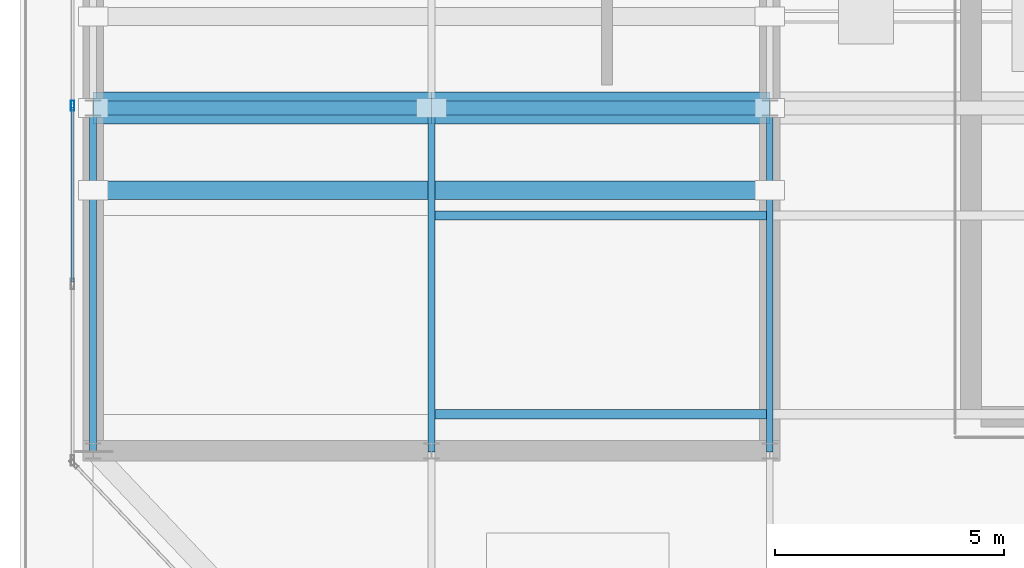
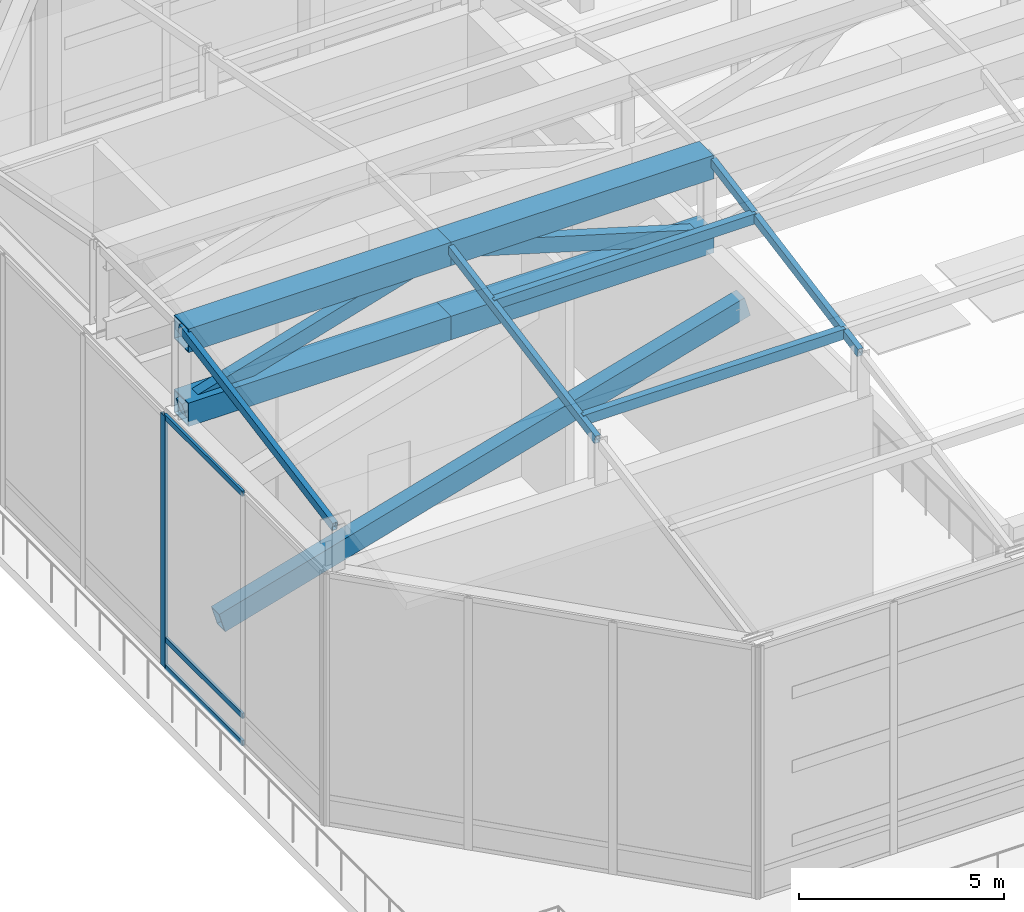
# One storey, part 5 of 25: 16 members, 1 element without a shape of its own.
"""IFC4 building model written with IfcOpenShell, lengths in metres."""

from ifc_helpers import new_model, si_unit, direction, frame, origin, origin_2d, place, context, subcontext, project, spatial, hollow_rectangle, extrude, source, transform, mapped, material, layer, layer_set, material_profile, profile_set, type_object, type_shapes, element, aggregate, save


model = new_model("IFC4")

# Units and contexts
model_context = context("Model", 3, precision=1e-05, world=origin(), true_north=direction((0.0, 1.0)))
body_context = subcontext(model_context, "Body", "Model", "MODEL_VIEW")
ifc_project = project(units=[si_unit("LENGTHUNIT", "METRE"), si_unit("AREAUNIT", "SQUARE_METRE"), si_unit("VOLUMEUNIT", "CUBIC_METRE"), si_unit("PLANEANGLEUNIT", "RADIAN"), si_unit("MASSUNIT", "GRAM", prefix="KILO")], contexts=[model_context])

# Site, building, storey
site_placement = place(None, origin())
site = spatial("IfcSite", under=ifc_project, at=site_placement, CompositionType="ELEMENT")
building_placement = place(site_placement, origin())
building = spatial("IfcBuilding", under=site, at=building_placement, Name="Haelvirn Gate Laboratories", CompositionType="ELEMENT")
storey_placement = place(building_placement, frame((0.0, 0.0, 337.800048828125)))
storey = spatial("IfcBuildingStorey", under=building, at=storey_placement, Name="RF", CompositionType="ELEMENT", Elevation=337.800048828125)

# Members
ifc_material_1 = material(Name="Steel SM420", Category="steel")
ifc_material_profile_1 = material_profile(ifc_material_1, hollow_rectangle(XDim=0.39990234375, YDim=0.60009765625, WallThickness=0.02490234375, at=origin_2d()), Name="BOX-600x400x25")
ifc_profile_set_1 = profile_set([ifc_material_profile_1], Name="Steel SM420")
member_type_1 = type_object("IfcMemberType", Name="MEM-CROWN-POST", PredefinedType="USERDEFINED", material=ifc_profile_set_1)
shared_shape_1 = source(origin(), body_context, "Body", "SweptSolid", [
    extrude(hollow_rectangle(XDim=0.39990234375, YDim=0.60009765625, WallThickness=0.02490234375, at=origin_2d()), origin(), (0.0, 0.0, 1.0), 15.398193359375),
])
type_shapes(member_type_1, [shared_shape_1])
member_1_placement = place(storey_placement, frame((7.39990234375, 20.5, 2.349853515625), z_axis=(0.961155726876, 0.0, 0.276006646104), x_axis=(0.0, 1.0, 0.0)))
element("IfcMember", 1, at=member_1_placement, inside=storey, type_object=member_type_1, Name="RF West Core Crown Bracing Strut 1", ObjectType="CROWN FRAME", PredefinedType="USERDEFINED", context=body_context, shape_type="MappedRepresentation", body=[
    mapped(shared_shape_1, transform((0.0, 0.0, 0.0), scale=1.0)),
])
ifc_material_profile_2 = material_profile(ifc_material_1, hollow_rectangle(XDim=0.699951171875, YDim=0.699951171875, WallThickness=0.031982421875, at=origin_2d()), Name="BOX-700x700x32")
ifc_profile_set_2 = profile_set([ifc_material_profile_2], Name="Steel SM420")
member_type_2 = type_object("IfcMemberType", Name="MEM-ARCH-RIB", PredefinedType="CHORD", material=ifc_profile_set_2)
shared_shape_2 = source(origin(), body_context, "Body", "SweptSolid", [
    extrude(hollow_rectangle(XDim=0.699951171875, YDim=0.699951171875, WallThickness=0.031982421875, at=origin_2d()), origin(), (0.0, 0.0, 1.0), 7.400146484375),
])
for number, where, z_axis, x_axis, name in (
    (2, (7.39990234375, 22.300048828125, 9.75537109375), (1.0, 0.0, 0.0), (0.0, 1.0, 0.0), "RF Vault Ridge Top Chord S-1"),
    (3, (7.39990234375, 22.300048828125, 7.550048828125), (1.0, 0.0, 0.0), (0.0, 1.0, 0.0), "RF Vault Ridge Bottom Chord S-1"),
):
    element("IfcMember", number, at=place(storey_placement, frame(where, z_axis=z_axis, x_axis=x_axis)), inside=storey, type_object=member_type_2, Name=name, PredefinedType="CHORD", context=body_context, shape_type="MappedRepresentation", body=[
        mapped(shared_shape_2, transform((0.0, 0.0, 0.0), scale=1.0)),
    ])
ifc_material_profile_3 = material_profile(ifc_material_1, hollow_rectangle(XDim=0.300048828125, YDim=0.449951171875, WallThickness=0.02001953125, at=origin_2d()), Name="BOX-450x300x20")
ifc_profile_set_3 = profile_set([ifc_material_profile_3], Name="Steel SM420")
member_type_3 = type_object("IfcMemberType", Name="MEM-CROWN-BR", PredefinedType="USERDEFINED", material=ifc_profile_set_3)
shared_shape_3 = source(origin(), body_context, "Body", "SweptSolid", [
    extrude(hollow_rectangle(XDim=0.300048828125, YDim=0.449951171875, WallThickness=0.02001953125, at=origin_2d()), origin(), (0.0, 0.0, 1.0), 7.7216796875),
])
member_2_placement = place(storey_placement, frame((7.39990234375, 22.300048828125, 7.550048828125), z_axis=(0.958349417944, 0.0, 0.285598307291), x_axis=(0.0, 1.0, 0.0)))
element("IfcMember", 4, at=member_2_placement, inside=storey, type_object=member_type_3, Name="RF Vault Ridge Truss Web S-1", ObjectType="CROWN FRAME", PredefinedType="USERDEFINED", context=body_context, shape_type="MappedRepresentation", body=[
    mapped(shared_shape_3, transform((0.0, 0.0, 0.0), scale=1.0)),
])
shared_shape_4 = source(origin(), body_context, "Body", "SweptSolid", [
    extrude(hollow_rectangle(XDim=0.699951171875, YDim=0.699951171875, WallThickness=0.031982421875, at=origin_2d()), origin(), (0.0, 0.0, 1.0), 7.39990234375),
])
type_shapes(member_type_2, [shared_shape_2, shared_shape_4])
for number, where, z_axis, x_axis, name in (
    (5, (14.800048828125, 22.300048828125, 9.75537109375), (1.0, 0.0, 0.0), (0.0, 1.0, 0.0), "RF Vault Ridge Top Chord S-2"),
    (6, (14.800048828125, 22.300048828125, 7.550048828125), (1.0, 0.0, 0.0), (0.0, 1.0, 0.0), "RF Vault Ridge Bottom Chord S-2"),
):
    element("IfcMember", number, at=place(storey_placement, frame(where, z_axis=z_axis, x_axis=x_axis)), inside=storey, type_object=member_type_2, Name=name, PredefinedType="CHORD", context=body_context, shape_type="MappedRepresentation", body=[
        mapped(shared_shape_4, transform((0.0, 0.0, 0.0), scale=1.0)),
    ])
shared_shape_5 = source(origin(), body_context, "Body", "SweptSolid", [
    extrude(hollow_rectangle(XDim=0.300048828125, YDim=0.449951171875, WallThickness=0.02001953125, at=origin_2d()), origin(), (0.0, 0.0, 1.0), 7.721435546875),
])
type_shapes(member_type_3, [shared_shape_3, shared_shape_5])
member_3_placement = place(storey_placement, frame((14.800048828125, 22.300048828125, 9.75537109375), z_axis=(0.958346838924, 0.0, -0.285606961267), x_axis=(0.0, 1.0, 0.0)))
element("IfcMember", 7, at=member_3_placement, inside=storey, type_object=member_type_3, Name="RF Vault Ridge Truss Web S-2", ObjectType="CROWN FRAME", PredefinedType="USERDEFINED", context=body_context, shape_type="MappedRepresentation", body=[
    mapped(shared_shape_5, transform((0.0, 0.0, 0.0), scale=1.0)),
])
ifc_material_2 = material(Name="Steel SM355", Category="steel")
ifc_material_profile_4 = material_profile(ifc_material_2, hollow_rectangle(XDim=0.14990234375, YDim=0.25, WallThickness=0.010009765625, at=origin_2d()), Name="RHS-250x150x10")
ifc_profile_set_4 = profile_set([ifc_material_profile_4], Name="Steel SM355")
member_type_4 = type_object("IfcMemberType", Name="MEM-CROWN-RAF", PredefinedType="RAFTER", material=ifc_profile_set_4)
shared_shape_6 = source(origin(), body_context, "Body", "SweptSolid", [
    extrude(hollow_rectangle(XDim=0.14990234375, YDim=0.25, WallThickness=0.010009765625, at=origin_2d()), origin(), (0.0, 0.0, 1.0), 7.626708984375),
])
type_shapes(member_type_4, [shared_shape_6])
for number, where, z_axis, x_axis, name in (
    (8, (7.39990234375, 14.800048828125, 8.571044921875), (0.0, 0.983390092547, 0.181504616691), (-1.0, 0.0, 0.0), "RF Vault End Rafter X7.4-1"),
    (9, (14.800048828125, 14.800048828125, 8.571044921875), (0.0, 0.983390092547, 0.181504616691), (-1.0, 0.0, 0.0), "RF Vault Rafter Chord X14.8-2"),
    (10, (22.199951171875, 14.800048828125, 8.571044921875), (0.0, 0.983390092547, 0.181504616691), (-1.0, 0.0, 0.0), "RF Vault Rafter Chord X22.2-2"),
):
    element("IfcMember", number, at=place(storey_placement, frame(where, z_axis=z_axis, x_axis=x_axis)), inside=storey, type_object=member_type_4, Name=name, PredefinedType="RAFTER", context=body_context, shape_type="MappedRepresentation", body=[
        mapped(shared_shape_6, transform((0.0, 0.0, 0.0), scale=1.0)),
    ])
ifc_material_profile_5 = material_profile(ifc_material_2, hollow_rectangle(XDim=0.199951171875, YDim=0.300048828125, WallThickness=0.011962890625, at=origin_2d()), Name="RHS-300x200x12")
ifc_profile_set_5 = profile_set([ifc_material_profile_5], Name="Steel SM355")
member_type_5 = type_object("IfcMemberType", Name="MEM-ROOF-PURL", PredefinedType="PURLIN", material=ifc_profile_set_5)
shared_shape_7 = source(origin(), body_context, "Body", "SweptSolid", [
    extrude(hollow_rectangle(XDim=0.199951171875, YDim=0.300048828125, WallThickness=0.011962890625, at=origin_2d()), origin(), (0.0, 0.0, 1.0), 7.39990234375),
])
type_shapes(member_type_5, [shared_shape_7])
for number, where, z_axis, x_axis, name in (
    (11, (14.800048828125, 15.60009765625, 8.699951171875), (1.0, 0.0, 0.0), (0.0, 1.0, 0.0), "RF Vault Purlin 2 (14.8-22.2)"),
    (12, (14.800048828125, 19.949951171875, 9.5), (1.0, 0.0, 0.0), (0.0, 1.0, 0.0), "RF Vault Purlin 3 (14.8-22.2)"),
):
    element("IfcMember", number, at=place(storey_placement, frame(where, z_axis=z_axis, x_axis=x_axis)), inside=storey, type_object=member_type_5, Name=name, PredefinedType="PURLIN", context=body_context, shape_type="MappedRepresentation", body=[
        mapped(shared_shape_7, transform((0.0, 0.0, 0.0), scale=1.0)),
    ])

# Curtain wall, members
ifc_material_3 = material(Name="Anodised bronze unitised aluminium & triple low-E glass", Category="aluminium")
ifc_layer = layer(ifc_material_3, 0.19189453125, Name="CW-SYS-6")
ifc_layer_set = layer_set([ifc_layer], Name="Anodised bronze unitised aluminium & triple low-E glass")
curtain_wall_type = type_object("IfcCurtainWallType", Name="CW-SYS-6", PredefinedType="NOTDEFINED", material=ifc_layer_set)
curtain_wall_placement = place(storey_placement, origin())
curtain_wall = element("IfcCurtainWall", 13, at=curtain_wall_placement, inside=storey, type_object=curtain_wall_type, Name="RF Unitised Curtain Wall CW-RF-RING-06", PredefinedType="NOTDEFINED")
ifc_material_4 = material(Name="Extruded aluminium 6063-T6 (anodised bronze)", Category="aluminium")
ifc_material_profile_6 = material_profile(ifc_material_4, hollow_rectangle(XDim=0.080078125, YDim=0.219970703125, WallThickness=0.006103515625, at=origin_2d()), Name="CWM-220x80x6")
ifc_profile_set_6 = profile_set([ifc_material_profile_6], Name="Extruded aluminium 6063-T6 (anodised bronze)")
member_type_6 = type_object("IfcMemberType", Name="CWM-T220", PredefinedType="MULLION", material=ifc_profile_set_6)
shared_shape_8 = source(origin(), body_context, "Body", "SweptSolid", [
    extrude(hollow_rectangle(XDim=0.080078125, YDim=0.219970703125, WallThickness=0.006103515625, at=origin_2d()), origin(), (0.0, 0.0, 1.0), 7.5),
])
type_shapes(member_type_6, [shared_shape_8])
member_4_placement = place(storey_placement, frame((6.949951171875, 22.35009765625, 0.0), z_axis=(0.0, 0.0, 1.0), x_axis=(1.0, 0.0, 0.0)))
member_4 = element("IfcMember", 14, at=member_4_placement, type_object=member_type_6, Name="CW6 mullion 4", PredefinedType="MULLION", context=body_context, shape_type="MappedRepresentation", body=[
    mapped(shared_shape_8, transform((0.0, 0.0, 0.0), scale=1.0)),
])
ifc_material_profile_7 = material_profile(ifc_material_4, hollow_rectangle(XDim=0.070068359375, YDim=0.159912109375, WallThickness=0.0048828125, at=origin_2d()), Name="CWT-160x70x5")
ifc_profile_set_7 = profile_set([ifc_material_profile_7], Name="Extruded aluminium 6063-T6 (anodised bronze)")
member_type_7 = type_object("IfcMemberType", Name="CWT-T160", PredefinedType="USERDEFINED", material=ifc_profile_set_7)
shared_shape_9 = source(origin(), body_context, "Body", "SweptSolid", [
    extrude(hollow_rectangle(XDim=0.070068359375, YDim=0.159912109375, WallThickness=0.0048828125, at=origin_2d()), origin(), (0.0, 0.0, 1.0), 3.820068359375),
])
type_shapes(member_type_7, [shared_shape_9])
member_5_placement = place(storey_placement, frame((6.949951171875, 22.31005859375, 0.034912109375), z_axis=(0.0, -1.0, 0.0), x_axis=(1.0, 0.0, 0.0)))
member_5 = element("IfcMember", 15, at=member_5_placement, type_object=member_type_7, Name="CW6 transom 4.1", ObjectType="TRANSOM", PredefinedType="USERDEFINED", context=body_context, shape_type="MappedRepresentation", body=[
    mapped(shared_shape_9, transform((0.0, 0.0, 0.0), scale=1.0)),
])
member_6_placement = place(storey_placement, frame((6.949951171875, 22.31005859375, 0.849853515625), z_axis=(0.0, -1.0, 0.0), x_axis=(1.0, 0.0, 0.0)))
member_6 = element("IfcMember", 16, at=member_6_placement, type_object=member_type_7, Name="CW6 transom 4.2", ObjectType="TRANSOM", PredefinedType="USERDEFINED", context=body_context, shape_type="MappedRepresentation", body=[
    mapped(shared_shape_9, transform((0.0, 0.0, 0.0), scale=1.0)),
])
member_7_placement = place(storey_placement, frame((6.949951171875, 22.31005859375, 7.46484375), z_axis=(0.0, -1.0, 0.0), x_axis=(1.0, 0.0, 0.0)))
member_7 = element("IfcMember", 17, at=member_7_placement, type_object=member_type_7, Name="CW6 transom 4.3", ObjectType="TRANSOM", PredefinedType="USERDEFINED", context=body_context, shape_type="MappedRepresentation", body=[
    mapped(shared_shape_9, transform((0.0, 0.0, 0.0), scale=1.0)),
])
aggregate(curtain_wall, [member_4, member_5, member_6, member_7])

save(model, "model.ifc")
